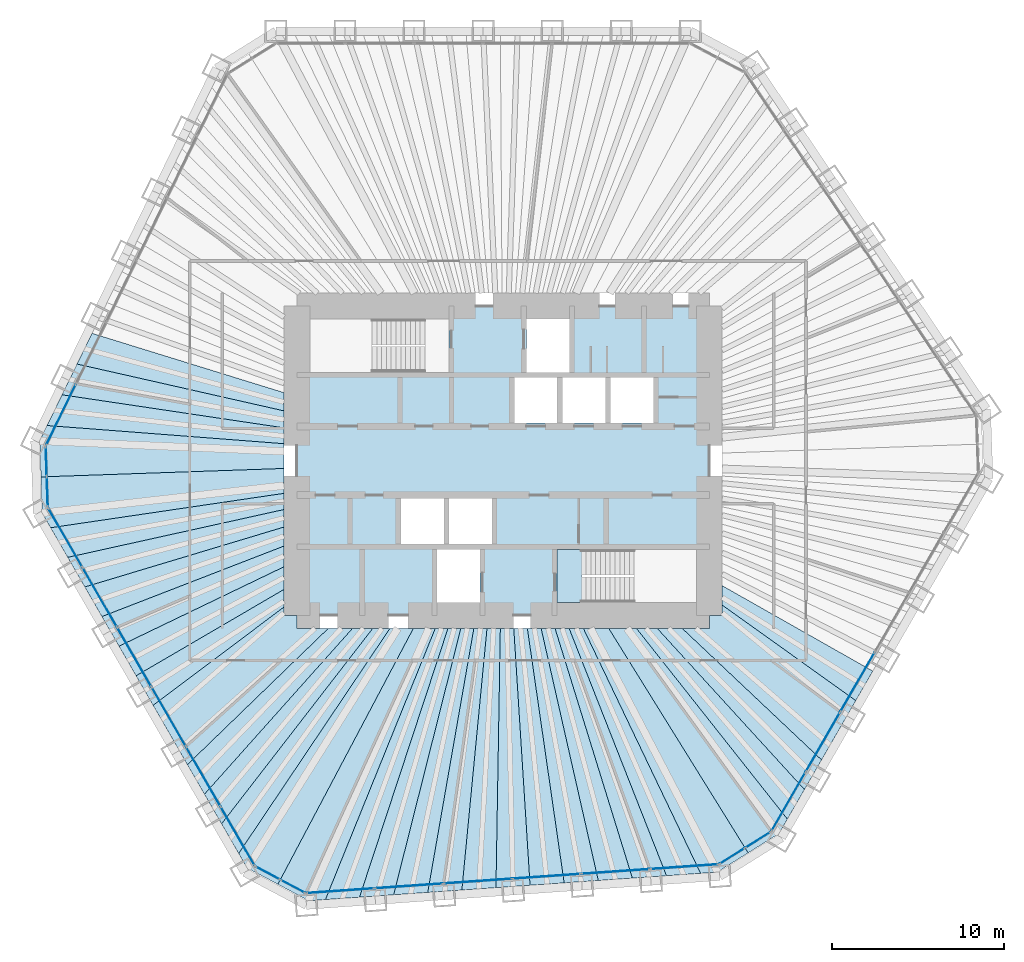
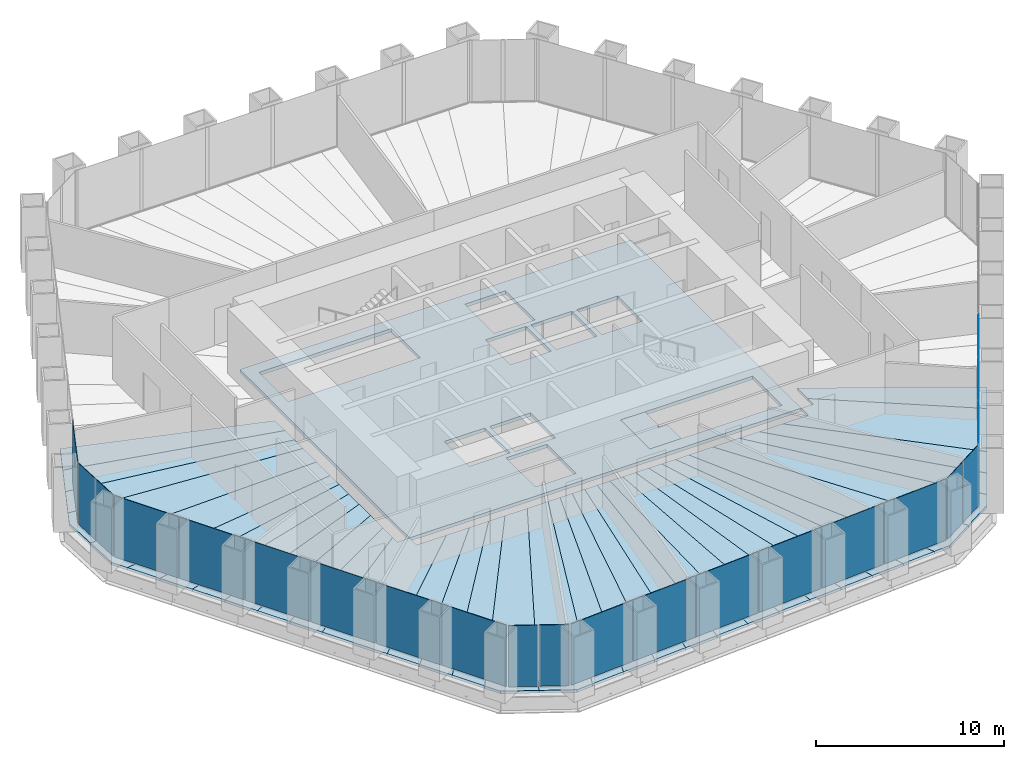
# One storey, part 8 of 13: 36 slabs, 22 plates, 8 elements without a shape of their own.
"""IFC4 building model written with IfcOpenShell, lengths in metres."""

from ifc_helpers import new_model, si_unit, direction, frame, origin, origin_2d, place, context, subcontext, project, spatial, polyline, rectangle, outline, extrude, material, layer, layer_set, type_object, element, aggregate, save


model = new_model("IFC4")

# Units and contexts
model_context = context("Model", 3, precision=1e-05, world=origin(), true_north=direction((0.0, 1.0)))
body_context = subcontext(model_context, "Body", "Model", "MODEL_VIEW")
ifc_project = project(units=[si_unit("LENGTHUNIT", "METRE"), si_unit("AREAUNIT", "SQUARE_METRE"), si_unit("VOLUMEUNIT", "CUBIC_METRE"), si_unit("PLANEANGLEUNIT", "RADIAN"), si_unit("MASSUNIT", "GRAM", prefix="KILO")], contexts=[model_context])

# Site, building, storey
site_placement = place(None, origin())
site = spatial("IfcSite", under=ifc_project, at=site_placement, CompositionType="ELEMENT")
building_placement = place(site_placement, origin())
building = spatial("IfcBuilding", under=site, at=building_placement, Name="Qingtian Harvest Tower", CompositionType="ELEMENT")
storey_placement = place(building_placement, frame((0.0, 0.0, 128.199951171875)))
storey = spatial("IfcBuildingStorey", under=building, at=storey_placement, Name="L26", CompositionType="ELEMENT", Elevation=128.199951171875)

# Slabs
ifc_material_1 = material(Name="Concrete fc' 35 MPa", Category="concrete")
ifc_layer_1 = layer(ifc_material_1, 0.169921875)
ifc_layer_set_1 = layer_set([ifc_layer_1], Name="Composite floor slab FS17 170")
slab_type_1 = type_object("IfcSlabType", Name="Composite floor slab FS17 170", PredefinedType="FLOOR", material=ifc_layer_set_1)
slab_1_placement = place(storey_placement, frame((0.0, 0.0, -0.169921875)))
element("IfcSlab", 1, at=slab_1_placement, inside=storey, type_object=slab_type_1, Name="Floor slab L26 panel D01", PredefinedType="FLOOR", context=body_context, shape_type="SweptSolid", body=[
    extrude(outline(polyline([(-26.8935546875, -0.939208984375), (-12.75, -0.447998046875), (-12.75, -1.89599609375), (-26.333984375, -3.8984375), (-26.819580078125, -3.056884765625), (-26.8935546875, -0.939208984375)])), origin(), (0.0, 0.0, 1.0), 0.169921875),
])
slab_2_placement = place(storey_placement, frame((0.0, 0.0, -0.169921875)))
element("IfcSlab", 2, at=slab_2_placement, inside=storey, type_object=slab_type_1, Name="Floor slab L26 panel D02", PredefinedType="FLOOR", context=body_context, shape_type="SweptSolid", body=[
    extrude(outline(polyline([(-12.75, -2.838134765625), (-25.3388671875, -5.62158203125), (-26.333984375, -3.8984375), (-12.75, -1.89599609375), (-12.75, -2.838134765625)])), origin(), (0.0, 0.0, 1.0), 0.169921875),
])
slab_3_placement = place(storey_placement, frame((0.0, 0.0, -0.169921875)))
element("IfcSlab", 3, at=slab_3_placement, inside=storey, type_object=slab_type_1, Name="Floor slab L26 panel D03", PredefinedType="FLOOR", context=body_context, shape_type="SweptSolid", body=[
    extrude(outline(polyline([(-12.75, -3.857666015625), (-24.343994140625, -7.344970703125), (-25.3388671875, -5.62158203125), (-12.75, -2.838134765625), (-12.75, -3.857666015625)])), origin(), (0.0, 0.0, 1.0), 0.169921875),
])
slab_4_placement = place(storey_placement, frame((0.0, 0.0, -0.169921875)))
element("IfcSlab", 4, at=slab_4_placement, inside=storey, type_object=slab_type_1, Name="Floor slab L26 panel D04", PredefinedType="FLOOR", context=body_context, shape_type="SweptSolid", body=[
    extrude(outline(polyline([(-12.75, -4.9638671875), (-23.34912109375, -9.068115234375), (-24.343994140625, -7.344970703125), (-12.75, -3.857666015625), (-12.75, -4.9638671875)])), origin(), (0.0, 0.0, 1.0), 0.169921875),
])
slab_5_placement = place(storey_placement, frame((0.0, 0.0, -0.169921875)))
element("IfcSlab", 5, at=slab_5_placement, inside=storey, type_object=slab_type_1, Name="Floor slab L26 panel D05", PredefinedType="FLOOR", context=body_context, shape_type="SweptSolid", body=[
    extrude(outline(polyline([(-12.75, -6.1689453125), (-22.354248046875, -10.79150390625), (-23.34912109375, -9.068115234375), (-12.75, -4.9638671875), (-12.75, -6.1689453125)])), origin(), (0.0, 0.0, 1.0), 0.169921875),
])
slab_6_placement = place(storey_placement, frame((0.0, 0.0, -0.169921875)))
element("IfcSlab", 6, at=slab_6_placement, inside=storey, type_object=slab_type_1, Name="Floor slab L26 panel D06", PredefinedType="FLOOR", context=body_context, shape_type="SweptSolid", body=[
    extrude(outline(polyline([(-12.75, -7.486328125), (-21.359130859375, -12.5146484375), (-22.354248046875, -10.79150390625), (-12.75, -6.1689453125), (-12.75, -7.486328125)])), origin(), (0.0, 0.0, 1.0), 0.169921875),
])
slab_7_placement = place(storey_placement, frame((0.0, 0.0, -0.169921875)))
element("IfcSlab", 7, at=slab_7_placement, inside=storey, type_object=slab_type_1, Name="Floor slab L26 panel D07", PredefinedType="FLOOR", context=body_context, shape_type="SweptSolid", body=[
    extrude(outline(polyline([(-12.75, -8.512451171875), (-20.36865234375, -14.23046875), (-21.359130859375, -12.5146484375), (-12.75, -7.486328125), (-12.75, -8.512451171875)])), origin(), (0.0, 0.0, 1.0), 0.169921875),
])
slab_8_placement = place(storey_placement, frame((0.0, 0.0, -0.169921875)))
element("IfcSlab", 8, at=slab_8_placement, inside=storey, type_object=slab_type_1, Name="Floor slab L26 panel D09", PredefinedType="FLOOR", context=body_context, shape_type="SweptSolid", body=[
    extrude(outline(polyline([(-18.375, -17.683837890625), (-20.36865234375, -14.23046875), (-12.75, -8.512451171875), (-12.75, -9.0), (-12.0, -9.0), (-12.0, -9.75), (-10.168212890625, -9.75), (-18.375, -17.683837890625)])), origin(), (0.0, 0.0, 1.0), 0.169921875),
])
slab_9_placement = place(storey_placement, frame((0.0, 0.0, -0.169921875)))
element("IfcSlab", 9, at=slab_9_placement, inside=storey, type_object=slab_type_1, Name="Floor slab L26 panel D10", PredefinedType="FLOOR", context=body_context, shape_type="SweptSolid", body=[
    extrude(outline(polyline([(-8.759521484375, -9.75), (-17.3798828125, -19.4072265625), (-18.375, -17.683837890625), (-10.168212890625, -9.75), (-8.759521484375, -9.75)])), origin(), (0.0, 0.0, 1.0), 0.169921875),
])
slab_10_placement = place(storey_placement, frame((0.0, 0.0, -0.169921875)))
element("IfcSlab", 10, at=slab_10_placement, inside=storey, type_object=slab_type_1, Name="Floor slab L26 panel D11", PredefinedType="FLOOR", context=body_context, shape_type="SweptSolid", body=[
    extrude(outline(polyline([(-7.58203125, -9.75), (-16.385009765625, -21.13037109375), (-17.3798828125, -19.4072265625), (-8.759521484375, -9.75), (-7.58203125, -9.75)])), origin(), (0.0, 0.0, 1.0), 0.169921875),
])
slab_11_placement = place(storey_placement, frame((0.0, 0.0, -0.169921875)))
element("IfcSlab", 11, at=slab_11_placement, inside=storey, type_object=slab_type_1, Name="Floor slab L26 panel D12", PredefinedType="FLOOR", context=body_context, shape_type="SweptSolid", body=[
    extrude(outline(polyline([(-6.5830078125, -9.75), (-15.389892578125, -22.853759765625), (-16.385009765625, -21.13037109375), (-7.58203125, -9.75), (-6.5830078125, -9.75)])), origin(), (0.0, 0.0, 1.0), 0.169921875),
])
slab_12_placement = place(storey_placement, frame((0.0, 0.0, -0.169921875)))
element("IfcSlab", 12, at=slab_12_placement, inside=storey, type_object=slab_type_1, Name="Floor slab L26 panel D13", PredefinedType="FLOOR", context=body_context, shape_type="SweptSolid", body=[
    extrude(outline(polyline([(-6.5830078125, -9.75), (-5.21875, -9.75), (-13.107421875, -24.650634765625), (-14.904052734375, -23.6953125), (-15.389892578125, -22.853759765625), (-6.5830078125, -9.75)])), origin(), (0.0, 0.0, 1.0), 0.169921875),
])
slab_13_placement = place(storey_placement, frame((0.0, 0.0, -0.169921875)))
element("IfcSlab", 13, at=slab_13_placement, inside=storey, type_object=slab_type_1, Name="Floor slab L26 panel D14", PredefinedType="FLOOR", context=body_context, shape_type="SweptSolid", body=[
    extrude(outline(polyline([(-5.21875, -9.75), (-3.947021484375, -9.75), (-10.3408203125, -25.53857421875), (-11.31005859375, -25.606201171875), (-13.107421875, -24.650634765625), (-5.21875, -9.75)])), origin(), (0.0, 0.0, 1.0), 0.169921875),
])
slab_14_placement = place(storey_placement, frame((0.0, 0.0, -0.169921875)))
element("IfcSlab", 14, at=slab_14_placement, inside=storey, type_object=slab_type_1, Name="Floor slab L26 panel D15", PredefinedType="FLOOR", context=body_context, shape_type="SweptSolid", body=[
    extrude(outline(polyline([(-3.20654296875, -9.75), (-8.35595703125, -25.399658203125), (-10.3408203125, -25.53857421875), (-3.947021484375, -9.75), (-3.20654296875, -9.75)])), origin(), (0.0, 0.0, 1.0), 0.169921875),
])
slab_15_placement = place(storey_placement, frame((0.0, 0.0, -0.169921875)))
element("IfcSlab", 15, at=slab_15_placement, inside=storey, type_object=slab_type_1, Name="Floor slab L26 panel D16", PredefinedType="FLOOR", context=body_context, shape_type="SweptSolid", body=[
    extrude(outline(polyline([(-2.4580078125, -9.75), (-6.370849609375, -25.260986328125), (-8.35595703125, -25.399658203125), (-3.20654296875, -9.75), (-2.4580078125, -9.75)])), origin(), (0.0, 0.0, 1.0), 0.169921875),
])
slab_16_placement = place(storey_placement, frame((0.0, 0.0, -0.169921875)))
element("IfcSlab", 16, at=slab_16_placement, inside=storey, type_object=slab_type_1, Name="Floor slab L26 panel D17", PredefinedType="FLOOR", context=body_context, shape_type="SweptSolid", body=[
    extrude(outline(polyline([(-1.701171875, -9.75), (-4.385986328125, -25.1220703125), (-6.370849609375, -25.260986328125), (-2.4580078125, -9.75), (-1.701171875, -9.75)])), origin(), (0.0, 0.0, 1.0), 0.169921875),
])
slab_17_placement = place(storey_placement, frame((0.0, 0.0, -0.169921875)))
element("IfcSlab", 17, at=slab_17_placement, inside=storey, type_object=slab_type_1, Name="Floor slab L26 panel D18", PredefinedType="FLOOR", context=body_context, shape_type="SweptSolid", body=[
    extrude(outline(polyline([(-0.93603515625, -9.75), (-2.40087890625, -24.9833984375), (-4.385986328125, -25.1220703125), (-1.701171875, -9.75), (-0.93603515625, -9.75)])), origin(), (0.0, 0.0, 1.0), 0.169921875),
])
slab_18_placement = place(storey_placement, frame((0.0, 0.0, -0.169921875)))
element("IfcSlab", 18, at=slab_18_placement, inside=storey, type_object=slab_type_1, Name="Floor slab L26 panel D19", PredefinedType="FLOOR", context=body_context, shape_type="SweptSolid", body=[
    extrude(outline(polyline([(-0.162109375, -9.75), (-0.416015625, -24.844482421875), (-2.40087890625, -24.9833984375), (-0.93603515625, -9.75), (-0.162109375, -9.75)])), origin(), (0.0, 0.0, 1.0), 0.169921875),
])
slab_19_placement = place(storey_placement, frame((0.0, 0.0, -0.169921875)))
element("IfcSlab", 19, at=slab_19_placement, inside=storey, type_object=slab_type_1, Name="Floor slab L26 panel D20", PredefinedType="FLOOR", context=body_context, shape_type="SweptSolid", body=[
    extrude(outline(polyline([(0.620361328125, -9.75), (1.569091796875, -24.705810546875), (-0.416015625, -24.844482421875), (-0.162109375, -9.75), (0.620361328125, -9.75)])), origin(), (0.0, 0.0, 1.0), 0.169921875),
])
slab_20_placement = place(storey_placement, frame((0.0, 0.0, -0.169921875)))
element("IfcSlab", 20, at=slab_20_placement, inside=storey, type_object=slab_type_1, Name="Floor slab L26 panel D21", PredefinedType="FLOOR", context=body_context, shape_type="SweptSolid", body=[
    extrude(outline(polyline([(1.41162109375, -9.75), (3.553955078125, -24.56689453125), (1.569091796875, -24.705810546875), (0.620361328125, -9.75), (1.41162109375, -9.75)])), origin(), (0.0, 0.0, 1.0), 0.169921875),
])
slab_21_placement = place(storey_placement, frame((0.0, 0.0, -0.169921875)))
element("IfcSlab", 21, at=slab_21_placement, inside=storey, type_object=slab_type_1, Name="Floor slab L26 panel D22", PredefinedType="FLOOR", context=body_context, shape_type="SweptSolid", body=[
    extrude(outline(polyline([(2.2119140625, -9.75), (5.5390625, -24.42822265625), (3.553955078125, -24.56689453125), (1.41162109375, -9.75), (2.2119140625, -9.75)])), origin(), (0.0, 0.0, 1.0), 0.169921875),
])
slab_22_placement = place(storey_placement, frame((0.0, 0.0, -0.169921875)))
element("IfcSlab", 22, at=slab_22_placement, inside=storey, type_object=slab_type_1, Name="Floor slab L26 panel D23", PredefinedType="FLOOR", context=body_context, shape_type="SweptSolid", body=[
    extrude(outline(polyline([(3.021484375, -9.75), (7.524169921875, -24.289306640625), (5.5390625, -24.42822265625), (2.2119140625, -9.75), (3.021484375, -9.75)])), origin(), (0.0, 0.0, 1.0), 0.169921875),
])
slab_23_placement = place(storey_placement, frame((0.0, 0.0, -0.169921875)))
element("IfcSlab", 23, at=slab_23_placement, inside=storey, type_object=slab_type_1, Name="Floor slab L26 panel D24", PredefinedType="FLOOR", context=body_context, shape_type="SweptSolid", body=[
    extrude(outline(polyline([(3.840087890625, -9.75), (9.509033203125, -24.150390625), (7.524169921875, -24.289306640625), (3.021484375, -9.75), (3.840087890625, -9.75)])), origin(), (0.0, 0.0, 1.0), 0.169921875),
])
slab_24_placement = place(storey_placement, frame((0.0, 0.0, -0.169921875)))
element("IfcSlab", 24, at=slab_24_placement, inside=storey, type_object=slab_type_1, Name="Floor slab L26 panel D25", PredefinedType="FLOOR", context=body_context, shape_type="SweptSolid", body=[
    extrude(outline(polyline([(4.66845703125, -9.75), (11.494140625, -24.01171875), (9.509033203125, -24.150390625), (3.840087890625, -9.75), (4.66845703125, -9.75)])), origin(), (0.0, 0.0, 1.0), 0.169921875),
])
slab_25_placement = place(storey_placement, frame((0.0, 0.0, -0.169921875)))
element("IfcSlab", 25, at=slab_25_placement, inside=storey, type_object=slab_type_1, Name="Floor slab L26 panel D26", PredefinedType="FLOOR", context=body_context, shape_type="SweptSolid", body=[
    extrude(outline(polyline([(4.66845703125, -9.75), (6.14404296875, -9.75), (14.2607421875, -22.820556640625), (12.463134765625, -23.94384765625), (11.494140625, -24.01171875), (4.66845703125, -9.75)])), origin(), (0.0, 0.0, 1.0), 0.169921875),
])
slab_26_placement = place(storey_placement, frame((0.0, 0.0, -0.169921875)))
element("IfcSlab", 26, at=slab_26_placement, inside=storey, type_object=slab_type_1, Name="Floor slab L26 panel D27", PredefinedType="FLOOR", context=body_context, shape_type="SweptSolid", body=[
    extrude(outline(polyline([(6.14404296875, -9.75), (7.756103515625, -9.75), (16.543212890625, -20.8564453125), (16.05712890625, -21.697998046875), (14.2607421875, -22.820556640625), (6.14404296875, -9.75)])), origin(), (0.0, 0.0, 1.0), 0.169921875),
])
slab_27_placement = place(storey_placement, frame((0.0, 0.0, -0.169921875)))
element("IfcSlab", 27, at=slab_27_placement, inside=storey, type_object=slab_type_1, Name="Floor slab L26 panel D28", PredefinedType="FLOOR", context=body_context, shape_type="SweptSolid", body=[
    extrude(outline(polyline([(8.966552734375, -9.75), (17.5380859375, -19.133056640625), (16.543212890625, -20.8564453125), (7.756103515625, -9.75), (8.966552734375, -9.75)])), origin(), (0.0, 0.0, 1.0), 0.169921875),
])
slab_28_placement = place(storey_placement, frame((0.0, 0.0, -0.169921875)))
element("IfcSlab", 28, at=slab_28_placement, inside=storey, type_object=slab_type_1, Name="Floor slab L26 panel D29", PredefinedType="FLOOR", context=body_context, shape_type="SweptSolid", body=[
    extrude(outline(polyline([(10.41796875, -9.75), (18.532958984375, -17.40966796875), (17.5380859375, -19.133056640625), (8.966552734375, -9.75), (10.41796875, -9.75)])), origin(), (0.0, 0.0, 1.0), 0.169921875),
])
slab_29_placement = place(storey_placement, frame((0.0, 0.0, -0.169921875)))
element("IfcSlab", 29, at=slab_29_placement, inside=storey, type_object=slab_type_1, Name="Floor slab L26 panel D31", PredefinedType="FLOOR", context=body_context, shape_type="SweptSolid", body=[
    extrude(outline(polyline([(12.75, -8.398681640625), (20.525390625, -13.958740234375), (18.532958984375, -17.40966796875), (10.41796875, -9.75), (12.0, -9.75), (12.0, -9.0), (12.75, -9.0), (12.75, -8.398681640625)])), origin(), (0.0, 0.0, 1.0), 0.169921875),
])
slab_30_placement = place(storey_placement, frame((0.0, 0.0, -0.169921875)))
element("IfcSlab", 30, at=slab_30_placement, inside=storey, type_object=slab_type_1, Name="Floor slab L26 panel D32", PredefinedType="FLOOR", context=body_context, shape_type="SweptSolid", body=[
    extrude(outline(polyline([(12.75, -7.268798828125), (21.517333984375, -12.24072265625), (20.525390625, -13.958740234375), (12.75, -8.398681640625), (12.75, -7.268798828125)])), origin(), (0.0, 0.0, 1.0), 0.169921875),
])
slab_31_placement = place(storey_placement, frame((0.0, 0.0, -0.169921875)))
element("IfcSlab", 31, at=slab_31_placement, inside=storey, type_object=slab_type_1, Name="Floor slab L26 panel D75", PredefinedType="FLOOR", context=body_context, shape_type="SweptSolid", body=[
    extrude(outline(polyline([(-12.75, 2.903076171875), (-24.797119140625, 5.62890625), (-23.9248046875, 7.417236328125), (-12.75, 3.962646484375), (-12.75, 2.903076171875)])), origin(), (0.0, 0.0, 1.0), 0.169921875),
])
slab_32_placement = place(storey_placement, frame((0.0, 0.0, -0.169921875)))
element("IfcSlab", 32, at=slab_32_placement, inside=storey, type_object=slab_type_1, Name="Floor slab L26 panel D76", PredefinedType="FLOOR", context=body_context, shape_type="SweptSolid", body=[
    extrude(outline(polyline([(-12.75, 1.91552734375), (-25.66943359375, 3.84033203125), (-24.797119140625, 5.62890625), (-12.75, 2.903076171875), (-12.75, 1.91552734375)])), origin(), (0.0, 0.0, 1.0), 0.169921875),
])
slab_33_placement = place(storey_placement, frame((0.0, 0.0, -0.169921875)))
element("IfcSlab", 33, at=slab_33_placement, inside=storey, type_object=slab_type_1, Name="Floor slab L26 panel D77", PredefinedType="FLOOR", context=body_context, shape_type="SweptSolid", body=[
    extrude(outline(polyline([(-12.75, 0.992919921875), (-26.541748046875, 2.0517578125), (-25.66943359375, 3.84033203125), (-12.75, 1.91552734375), (-12.75, 0.992919921875)])), origin(), (0.0, 0.0, 1.0), 0.169921875),
])
slab_34_placement = place(storey_placement, frame((0.0, 0.0, -0.169921875)))
element("IfcSlab", 34, at=slab_34_placement, inside=storey, type_object=slab_type_1, Name="Floor slab L26 panel D78", PredefinedType="FLOOR", context=body_context, shape_type="SweptSolid", body=[
    extrude(outline(polyline([(-12.75, 0.992919921875), (-12.75, -0.447998046875), (-26.8935546875, -0.939208984375), (-26.967529296875, 1.1787109375), (-26.541748046875, 2.0517578125), (-12.75, 0.992919921875)])), origin(), (0.0, 0.0, 1.0), 0.169921875),
])
ifc_material_2 = material(Name="Concrete fc' 35 MPa", Category="concrete")
ifc_layer_2 = layer(ifc_material_2, 0.219970703125)
ifc_layer_set_2 = layer_set([ifc_layer_2], Name="Core floor slab CS22 220")
slab_type_2 = type_object("IfcSlabType", Name="Core floor slab CS22 220", PredefinedType="FLOOR", material=ifc_layer_set_2)
slab_35_placement = place(storey_placement, frame((0.0, 0.0, -0.219970703125)))
element("IfcSlab", 35, at=slab_35_placement, inside=storey, type_object=slab_type_2, Name="Core floor slab L26", PredefinedType="FLOOR", context=body_context, shape_type="SweptSolid", body=[
    extrude(outline(polyline([(-12.0, -9.0), (12.0, -9.0), (12.0, 9.0), (-12.0, 9.0), (-12.0, -9.0)]), holes=[polyline([(-11.25, 5.14990234375), (-3.14990234375, 5.14990234375), (-3.14990234375, 8.25), (-11.25, 8.25), (-11.25, 5.14990234375)]), polyline([(3.14990234375, -8.25), (11.25, -8.25), (11.25, -5.14990234375), (3.14990234375, -5.14990234375), (3.14990234375, -8.25)]), polyline([(1.35009765625, 5.14990234375), (3.85009765625, 5.14990234375), (3.85009765625, 8.25), (1.35009765625, 8.25), (1.35009765625, 5.14990234375)]), polyline([(-3.85009765625, -8.25), (-1.35009765625, -8.25), (-1.35009765625, -5.14990234375), (-3.85009765625, -5.14990234375), (-3.85009765625, -8.25)]), polyline([(0.64990234375, 2.199951171875), (3.14990234375, 2.199951171875), (3.14990234375, 4.85009765625), (0.64990234375, 4.85009765625), (0.64990234375, 2.199951171875)]), polyline([(3.449951171875, 2.199951171875), (5.949951171875, 2.199951171875), (5.949951171875, 4.85009765625), (3.449951171875, 4.85009765625), (3.449951171875, 2.199951171875)]), polyline([(6.25, 2.199951171875), (8.75, 2.199951171875), (8.75, 4.85009765625), (6.25, 4.85009765625), (6.25, 2.199951171875)]), polyline([(-5.949951171875, -4.85009765625), (-3.449951171875, -4.85009765625), (-3.449951171875, -2.199951171875), (-5.949951171875, -2.199951171875), (-5.949951171875, -4.85009765625)]), polyline([(-3.14990234375, -4.85009765625), (-0.64990234375, -4.85009765625), (-0.64990234375, -2.199951171875), (-3.14990234375, -2.199951171875), (-3.14990234375, -4.85009765625)])]), origin(), (0.0, 0.0, 1.0), 0.219970703125),
])

# Curtain wall, plates
ifc_material_3 = material(Name="Bronze-anodised aluminium curtain wall", Category="aluminium")
curtain_wall_type = type_object("IfcCurtainWallType", Name="Curtain wall CW4 office", PredefinedType="USERDEFINED", material=ifc_material_3)
curtain_wall_1_placement = place(storey_placement, origin())
curtain_wall_1 = element("IfcCurtainWall", 36, at=curtain_wall_1_placement, inside=storey, type_object=curtain_wall_type, Name="Curtain wall CW4 L26 SE0-5", ObjectType="RECESSED CURTAIN WALL", PredefinedType="USERDEFINED")
ifc_material_4 = material(Name="Bronze-tinted laminated insulating glass", Category="glass")
ifc_layer_3 = layer(ifc_material_4, 0.030029296875)
ifc_layer_set_3 = layer_set([ifc_layer_3], Name="Glazed panel CWP tinted IGU")
plate_type = type_object("IfcPlateType", Name="Glazed panel CWP tinted IGU", PredefinedType="CURTAIN_PANEL", material=ifc_layer_set_3)
plate_1_placement = place(storey_placement, frame((20.621826171875, -12.8818359375, 0.06494140625), z_axis=(0.0, 0.0, 1.0), x_axis=(-0.5, -0.866025403784, 0.0)))
plate_1 = element("IfcPlate", 37, at=plate_1_placement, type_object=plate_type, Name="CW4 panel 4.1", PredefinedType="CURTAIN_PANEL", context=body_context, shape_type="SweptSolid", body=[
    extrude(rectangle(XDim=3.9541015625, YDim=0.030029296875, at=origin_2d()), origin(), (0.0, 0.0, 1.0), 3.965087890625),
])
plate_2_placement = place(storey_placement, frame((18.6123046875, -16.362548828125, 0.06494140625), z_axis=(0.0, 0.0, 1.0), x_axis=(-0.5, -0.866025403784, 0.0)))
plate_2 = element("IfcPlate", 38, at=plate_2_placement, type_object=plate_type, Name="CW4 panel 5.1", PredefinedType="CURTAIN_PANEL", context=body_context, shape_type="SweptSolid", body=[
    extrude(rectangle(XDim=3.9541015625, YDim=0.030029296875, at=origin_2d()), origin(), (0.0, 0.0, 1.0), 3.965087890625),
])
plate_3_placement = place(storey_placement, frame((16.61083984375, -19.8291015625, 0.06494140625), z_axis=(0.0, 0.0, 1.0), x_axis=(-0.5, -0.866025403784, 0.0)))
plate_3 = element("IfcPlate", 39, at=plate_3_placement, type_object=plate_type, Name="CW4 panel 6.1", PredefinedType="CURTAIN_PANEL", context=body_context, shape_type="SweptSolid", body=[
    extrude(rectangle(XDim=3.921630859375, YDim=0.030029296875, at=origin_2d()), origin(), (0.0, 0.0, 1.0), 3.965087890625),
])
aggregate(curtain_wall_1, [plate_1, plate_2, plate_3])

curtain_wall_2_placement = place(storey_placement, origin())
curtain_wall_2 = element("IfcCurtainWall", 40, at=curtain_wall_2_placement, inside=storey, type_object=curtain_wall_type, Name="Curtain wall CW4 L26 SEC", ObjectType="RECESSED CURTAIN WALL", PredefinedType="USERDEFINED")
plate_4_placement = place(storey_placement, frame((14.8251953125, -22.06640625, 0.06494140625), z_axis=(0.0, 0.0, 1.0), x_axis=(-0.848048096156, -0.529919264233, 0.0)))
plate_4 = element("IfcPlate", 41, at=plate_4_placement, type_object=plate_type, Name="CW4 panel 1.1", PredefinedType="CURTAIN_PANEL", context=body_context, shape_type="SweptSolid", body=[
    extrude(rectangle(XDim=1.69287109375, YDim=0.030029296875, at=origin_2d()), origin(), (0.0, 0.0, 1.0), 3.965087890625),
])
plate_5_placement = place(storey_placement, frame((13.334228515625, -22.998046875, 0.06494140625), z_axis=(0.0, 0.0, 1.0), x_axis=(-0.848048096156, -0.529919264233, 0.0)))
plate_5 = element("IfcPlate", 42, at=plate_5_placement, type_object=plate_type, Name="CW4 panel 2.1", PredefinedType="CURTAIN_PANEL", context=body_context, shape_type="SweptSolid", body=[
    extrude(rectangle(XDim=1.69287109375, YDim=0.030029296875, at=origin_2d()), origin(), (0.0, 0.0, 1.0), 3.965087890625),
])
aggregate(curtain_wall_2, [plate_4, plate_5])

curtain_wall_3_placement = place(storey_placement, origin())
curtain_wall_3 = element("IfcCurtainWall", 43, at=curtain_wall_3_placement, inside=storey, type_object=curtain_wall_type, Name="Curtain wall CW4 L26 S0-5", ObjectType="RECESSED CURTAIN WALL", PredefinedType="USERDEFINED")
plate_6_placement = place(storey_placement, frame((10.54052734375, -23.622314453125, 0.06494140625), z_axis=(0.0, 0.0, 1.0), x_axis=(-0.99756405026, -0.069756473744, 0.0)))
plate_6 = element("IfcPlate", 44, at=plate_6_placement, type_object=plate_type, Name="CW4 panel 1.1", PredefinedType="CURTAIN_PANEL", context=body_context, shape_type="SweptSolid", body=[
    extrude(rectangle(XDim=3.921630859375, YDim=0.030029296875, at=origin_2d()), origin(), (0.0, 0.0, 1.0), 3.965087890625),
])
plate_7_placement = place(storey_placement, frame((6.54736328125, -23.901611328125, 0.06494140625), z_axis=(0.0, 0.0, 1.0), x_axis=(-0.99756405026, -0.069756473744, 0.0)))
plate_7 = element("IfcPlate", 45, at=plate_7_placement, type_object=plate_type, Name="CW4 panel 2.1", PredefinedType="CURTAIN_PANEL", context=body_context, shape_type="SweptSolid", body=[
    extrude(rectangle(XDim=3.9541015625, YDim=0.030029296875, at=origin_2d()), origin(), (0.0, 0.0, 1.0), 3.965087890625),
])
plate_8_placement = place(storey_placement, frame((2.5380859375, -24.181884765625, 0.06494140625), z_axis=(0.0, 0.0, 1.0), x_axis=(-0.99756405026, -0.069756473744, 0.0)))
plate_8 = element("IfcPlate", 46, at=plate_8_placement, type_object=plate_type, Name="CW4 panel 3.1", PredefinedType="CURTAIN_PANEL", context=body_context, shape_type="SweptSolid", body=[
    extrude(rectangle(XDim=3.9541015625, YDim=0.030029296875, at=origin_2d()), origin(), (0.0, 0.0, 1.0), 3.965087890625),
])
plate_9_placement = place(storey_placement, frame((-1.47119140625, -24.462158203125, 0.06494140625), z_axis=(0.0, 0.0, 1.0), x_axis=(-0.99756405026, -0.069756473744, 0.0)))
plate_9 = element("IfcPlate", 47, at=plate_9_placement, type_object=plate_type, Name="CW4 panel 4.1", PredefinedType="CURTAIN_PANEL", context=body_context, shape_type="SweptSolid", body=[
    extrude(rectangle(XDim=3.9541015625, YDim=0.030029296875, at=origin_2d()), origin(), (0.0, 0.0, 1.0), 3.965087890625),
])
plate_10_placement = place(storey_placement, frame((-5.48046875, -24.74267578125, 0.06494140625), z_axis=(0.0, 0.0, 1.0), x_axis=(-0.99756405026, -0.069756473744, 0.0)))
plate_10 = element("IfcPlate", 48, at=plate_10_placement, type_object=plate_type, Name="CW4 panel 5.1", PredefinedType="CURTAIN_PANEL", context=body_context, shape_type="SweptSolid", body=[
    extrude(rectangle(XDim=3.9541015625, YDim=0.030029296875, at=origin_2d()), origin(), (0.0, 0.0, 1.0), 3.965087890625),
])
plate_11_placement = place(storey_placement, frame((-9.4736328125, -25.021728515625, 0.06494140625), z_axis=(0.0, 0.0, 1.0), x_axis=(-0.99756405026, -0.069756473744, 0.0)))
plate_11 = element("IfcPlate", 49, at=plate_11_placement, type_object=plate_type, Name="CW4 panel 6.1", PredefinedType="CURTAIN_PANEL", context=body_context, shape_type="SweptSolid", body=[
    extrude(rectangle(XDim=3.921630859375, YDim=0.030029296875, at=origin_2d()), origin(), (0.0, 0.0, 1.0), 3.965087890625),
])
aggregate(curtain_wall_3, [plate_6, plate_7, plate_8, plate_9, plate_10, plate_11])

curtain_wall_4_placement = place(storey_placement, origin())
curtain_wall_4 = element("IfcCurtainWall", 50, at=curtain_wall_4_placement, inside=storey, type_object=curtain_wall_type, Name="Curtain wall CW4 L26 SC", ObjectType="RECESSED CURTAIN WALL", PredefinedType="USERDEFINED")
plate_12_placement = place(storey_placement, frame((-12.24365234375, -24.764892578125, 0.06494140625), z_axis=(0.0, 0.0, 1.0), x_axis=(-0.882947592859, 0.469471562786, 0.0)))
plate_12 = element("IfcPlate", 51, at=plate_12_placement, type_object=plate_type, Name="CW4 panel 1.1", PredefinedType="CURTAIN_PANEL", context=body_context, shape_type="SweptSolid", body=[
    extrude(rectangle(XDim=1.56689453125, YDim=0.030029296875, at=origin_2d()), origin(), (0.0, 0.0, 1.0), 3.965087890625),
])
plate_13_placement = place(storey_placement, frame((-13.684326171875, -23.998779296875, 0.06494140625), z_axis=(0.0, 0.0, 1.0), x_axis=(-0.882947592859, 0.469471562786, 0.0)))
plate_13 = element("IfcPlate", 52, at=plate_13_placement, type_object=plate_type, Name="CW4 panel 2.1", PredefinedType="CURTAIN_PANEL", context=body_context, shape_type="SweptSolid", body=[
    extrude(rectangle(XDim=1.56689453125, YDim=0.030029296875, at=origin_2d()), origin(), (0.0, 0.0, 1.0), 3.965087890625),
])
aggregate(curtain_wall_4, [plate_12, plate_13])

curtain_wall_5_placement = place(storey_placement, origin())
curtain_wall_5 = element("IfcCurtainWall", 53, at=curtain_wall_5_placement, inside=storey, type_object=curtain_wall_type, Name="Curtain wall CW4 L26 SW0-5", ObjectType="RECESSED CURTAIN WALL", PredefinedType="USERDEFINED")
plate_14_placement = place(storey_placement, frame((-15.446533203125, -21.845947265625, 0.06494140625), z_axis=(0.0, 0.0, 1.0), x_axis=(-0.5, 0.866025403784, 0.0)))
plate_14 = element("IfcPlate", 54, at=plate_14_placement, type_object=plate_type, Name="CW4 panel 1.1", PredefinedType="CURTAIN_PANEL", context=body_context, shape_type="SweptSolid", body=[
    extrude(rectangle(XDim=3.921630859375, YDim=0.030029296875, at=origin_2d()), origin(), (0.0, 0.0, 1.0), 3.965087890625),
])
plate_15_placement = place(storey_placement, frame((-17.44775390625, -18.37939453125, 0.06494140625), z_axis=(0.0, 0.0, 1.0), x_axis=(-0.5, 0.866025403784, 0.0)))
plate_15 = element("IfcPlate", 55, at=plate_15_placement, type_object=plate_type, Name="CW4 panel 2.1", PredefinedType="CURTAIN_PANEL", context=body_context, shape_type="SweptSolid", body=[
    extrude(rectangle(XDim=3.9541015625, YDim=0.030029296875, at=origin_2d()), origin(), (0.0, 0.0, 1.0), 3.965087890625),
])
plate_16_placement = place(storey_placement, frame((-19.45751953125, -14.898681640625, 0.06494140625), z_axis=(0.0, 0.0, 1.0), x_axis=(-0.5, 0.866025403784, 0.0)))
plate_16 = element("IfcPlate", 56, at=plate_16_placement, type_object=plate_type, Name="CW4 panel 3.1", PredefinedType="CURTAIN_PANEL", context=body_context, shape_type="SweptSolid", body=[
    extrude(rectangle(XDim=3.9541015625, YDim=0.030029296875, at=origin_2d()), origin(), (0.0, 0.0, 1.0), 3.965087890625),
])
plate_17_placement = place(storey_placement, frame((-21.467041015625, -11.418212890625, 0.06494140625), z_axis=(0.0, 0.0, 1.0), x_axis=(-0.5, 0.866025403784, 0.0)))
plate_17 = element("IfcPlate", 57, at=plate_17_placement, type_object=plate_type, Name="CW4 panel 4.1", PredefinedType="CURTAIN_PANEL", context=body_context, shape_type="SweptSolid", body=[
    extrude(rectangle(XDim=3.9541015625, YDim=0.030029296875, at=origin_2d()), origin(), (0.0, 0.0, 1.0), 3.965087890625),
])
plate_18_placement = place(storey_placement, frame((-23.4765625, -7.9375, 0.06494140625), z_axis=(0.0, 0.0, 1.0), x_axis=(-0.5, 0.866025403784, 0.0)))
plate_18 = element("IfcPlate", 58, at=plate_18_placement, type_object=plate_type, Name="CW4 panel 5.1", PredefinedType="CURTAIN_PANEL", context=body_context, shape_type="SweptSolid", body=[
    extrude(rectangle(XDim=3.9541015625, YDim=0.030029296875, at=origin_2d()), origin(), (0.0, 0.0, 1.0), 3.965087890625),
])
plate_19_placement = place(storey_placement, frame((-25.477783203125, -4.470947265625, 0.06494140625), z_axis=(0.0, 0.0, 1.0), x_axis=(-0.5, 0.866025403784, 0.0)))
plate_19 = element("IfcPlate", 59, at=plate_19_placement, type_object=plate_type, Name="CW4 panel 6.1", PredefinedType="CURTAIN_PANEL", context=body_context, shape_type="SweptSolid", body=[
    extrude(rectangle(XDim=3.921630859375, YDim=0.030029296875, at=origin_2d()), origin(), (0.0, 0.0, 1.0), 3.965087890625),
])
aggregate(curtain_wall_5, [plate_14, plate_15, plate_16, plate_17, plate_18, plate_19])

curtain_wall_6_placement = place(storey_placement, origin())
curtain_wall_6 = element("IfcCurtainWall", 60, at=curtain_wall_6_placement, inside=storey, type_object=curtain_wall_type, Name="Curtain wall CW4 L26 SWC", ObjectType="RECESSED CURTAIN WALL", PredefinedType="USERDEFINED")
plate_20_placement = place(storey_placement, frame((-26.522705078125, -1.8056640625, 0.06494140625), z_axis=(0.0, 0.0, 1.0), x_axis=(-0.034899496703, 0.999390827019, 0.0)))
plate_20 = element("IfcPlate", 61, at=plate_20_placement, type_object=plate_type, Name="CW4 panel 1.1", PredefinedType="CURTAIN_PANEL", context=body_context, shape_type="SweptSolid", body=[
    extrude(rectangle(XDim=1.69287109375, YDim=0.030029296875, at=origin_2d()), origin(), (0.0, 0.0, 1.0), 3.965087890625),
])
plate_21_placement = place(storey_placement, frame((-26.583984375, -0.048828125, 0.06494140625), z_axis=(0.0, 0.0, 1.0), x_axis=(-0.034899496703, 0.999390827019, 0.0)))
plate_21 = element("IfcPlate", 62, at=plate_21_placement, type_object=plate_type, Name="CW4 panel 2.1", PredefinedType="CURTAIN_PANEL", context=body_context, shape_type="SweptSolid", body=[
    extrude(rectangle(XDim=1.69287109375, YDim=0.030029296875, at=origin_2d()), origin(), (0.0, 0.0, 1.0), 3.965087890625),
])
aggregate(curtain_wall_6, [plate_20, plate_21])

# Curtain wall, plate
curtain_wall_7_placement = place(storey_placement, origin())
curtain_wall_7 = element("IfcCurtainWall", 63, at=curtain_wall_7_placement, inside=storey, type_object=curtain_wall_type, Name="Curtain wall CW4 L26 NW0-5", ObjectType="RECESSED CURTAIN WALL", PredefinedType="USERDEFINED")
plate_22_placement = place(storey_placement, frame((-25.727783203125, 2.682861328125, 0.06494140625), z_axis=(0.0, 0.0, 1.0), x_axis=(0.438371146789, 0.898794046299, 0.0)))
plate_22 = element("IfcPlate", 64, at=plate_22_placement, type_object=plate_type, Name="CW4 panel 1.1", PredefinedType="CURTAIN_PANEL", context=body_context, shape_type="SweptSolid", body=[
    extrude(rectangle(XDim=3.921630859375, YDim=0.030029296875, at=origin_2d()), origin(), (0.0, 0.0, 1.0), 3.965087890625),
])
aggregate(curtain_wall_7, [plate_22])

# Stair, slab
ifc_material_5 = material(Name="Concrete fc' 35 MPa", Category="concrete")
stair_type = type_object("IfcStairType", Name="Special stair ST3 4200", PredefinedType="HALF_TURN_STAIR", material=ifc_material_5)
stair_placement = place(storey_placement, origin())
stair = element("IfcStair", 65, at=stair_placement, inside=storey, type_object=stair_type, Name="Special stair S2 L26", PredefinedType="HALF_TURN_STAIR")
ifc_material_6 = material(Name="Concrete fc' 35 MPa", Category="concrete")
ifc_layer_4 = layer(ifc_material_6, 0.199951171875)
ifc_layer_set_4 = layer_set([ifc_layer_4], Name="Stair landing SL2 200")
slab_type_3 = type_object("IfcSlabType", Name="Stair landing SL2 200", PredefinedType="LANDING", material=ifc_layer_set_4)
slab_36_placement = place(storey_placement, frame((0.0, 0.0, -0.199951171875)))
slab_36 = element("IfcSlab", 66, at=slab_36_placement, type_object=slab_type_3, Name="S2 landing 1", PredefinedType="LANDING", context=body_context, shape_type="SweptSolid", body=[
    extrude(outline(polyline([(5.0849609375, -8.25), (3.14990234375, -8.25), (3.14990234375, -5.14990234375), (4.64990234375, -5.14990234375), (4.64990234375, -6.64990234375), (4.550048828125, -6.64990234375), (4.550048828125, -6.75), (5.0849609375, -6.75), (5.0849609375, -8.25)])), origin(), (0.0, 0.0, 1.0), 0.199951171875),
])
aggregate(stair, [slab_36])

save(model, "model.ifc")
